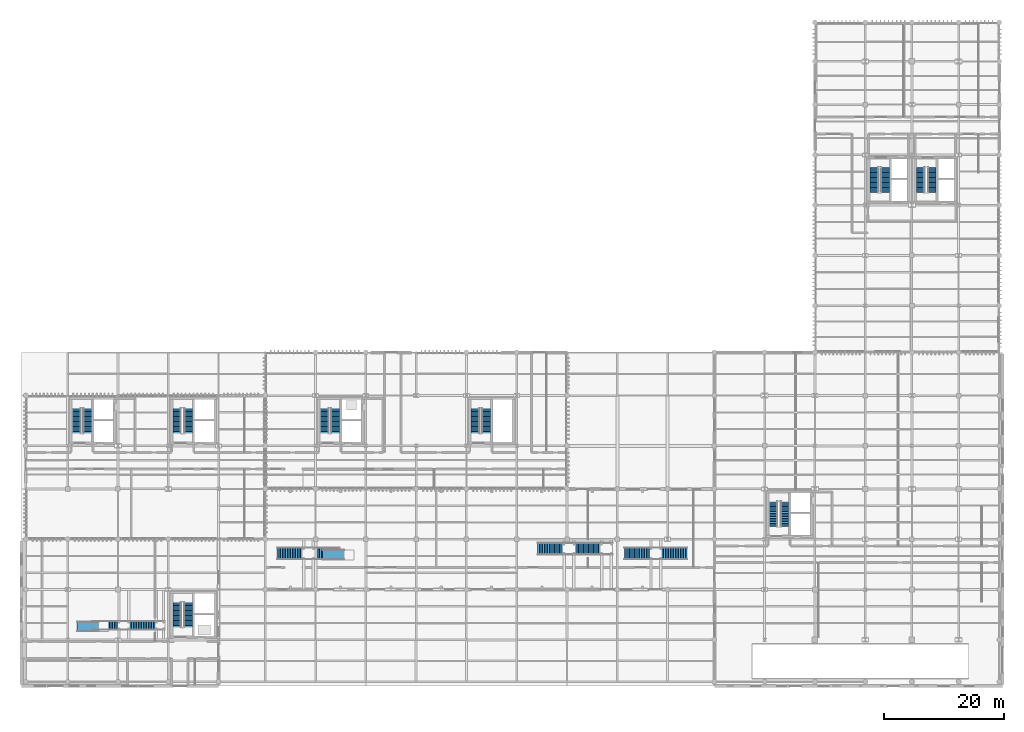
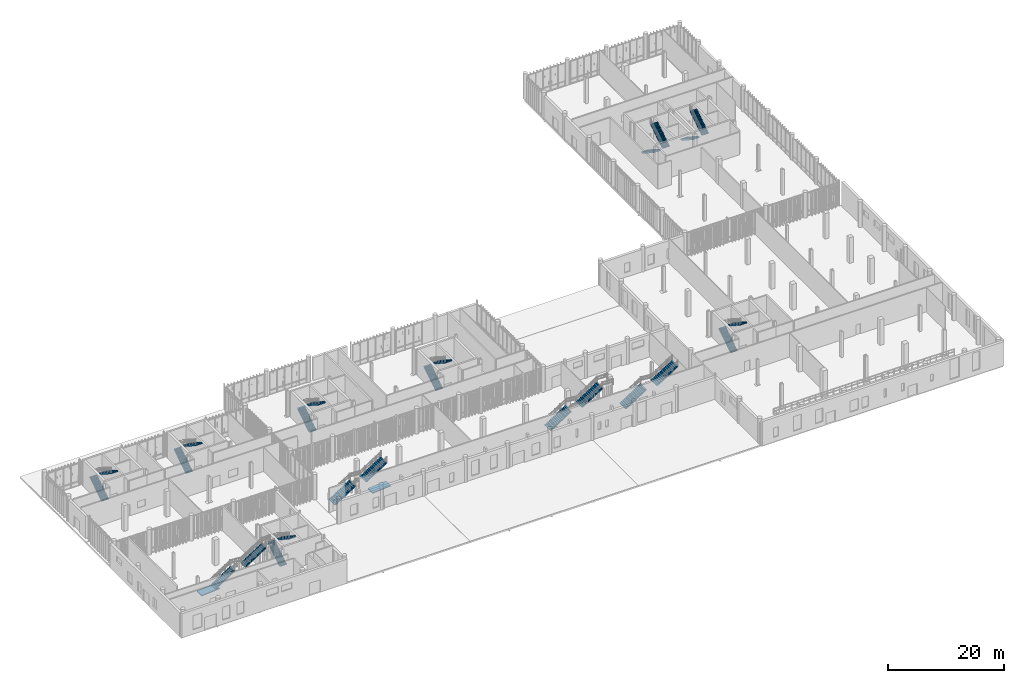
# One storey, part 96 of 112: 24 stair flights, 2 ramp flights, 14 elements without a shape of their own.
"""IFC4 building model written with IfcOpenShell, lengths in metres."""

from ifc_helpers import new_model, si_unit, direction, frame, origin_with_axes, place, context, subcontext, project, spatial, polyline, outline, extrude, material, type_object, element, aggregate, save


model = new_model("IFC4")

# Units and contexts
model_context = context("Model", 3, precision=1e-05, world=origin_with_axes(), true_north=direction((0.0, 1.0)))
body_context = subcontext(model_context, "Body", "Model", "MODEL_VIEW")
ifc_project = project(units=[si_unit("LENGTHUNIT", "METRE"), si_unit("AREAUNIT", "SQUARE_METRE"), si_unit("VOLUMEUNIT", "CUBIC_METRE"), si_unit("PLANEANGLEUNIT", "RADIAN"), si_unit("MASSUNIT", "GRAM", prefix="KILO"), si_unit("THERMODYNAMICTEMPERATUREUNIT", "KELVIN")], contexts=[model_context])

# Site, building, storey
site_placement = place(None, origin_with_axes())
site = spatial("IfcSite", under=ifc_project, at=site_placement, CompositionType="ELEMENT")
building_placement = place(site_placement, origin_with_axes())
building = spatial("IfcBuilding", under=site, at=building_placement, Name="Montbau Bow Law Courts", CompositionType="ELEMENT")
storey_placement = place(building_placement, origin_with_axes())
storey = spatial("IfcBuildingStorey", under=building, at=storey_placement, Name="L00", CompositionType="ELEMENT", Elevation=0.0)

# Stair, stair flights
ifc_material_1 = material(Name="Concrete CSA A23.1 f'c 40 MPa", Category="concrete")
stair_type_1 = type_object("IfcStairType", Name="ST-JUD-1500", PredefinedType="HALF_TURN_STAIR", material=ifc_material_1)
stair_1_placement = place(None, frame((32.065, 48.3, 0.0), z_axis=(0.0, 0.0, 1.0), x_axis=(1.0, 0.0, 0.0)))
stair_1 = element("IfcStair", 1, at=stair_1_placement, inside=storey, type_object=stair_type_1, Name="ST-J1-L00:str_0010", PredefinedType="HALF_TURN_STAIR")
stair_flight_type_1 = type_object("IfcStairFlightType", Name="SF-RC-1500C", PredefinedType="STRAIGHT", material=ifc_material_1)
stair_flight_1_placement = place(None, frame((32.065, 48.3, 0.0), z_axis=(0.0, 0.0, 1.0), x_axis=(0.0, 1.0, 0.0)))
stair_flight_1 = element("IfcStairFlight", 2, at=stair_flight_1_placement, type_object=stair_flight_type_1, Name="ST-J1-L00-F1:str_0010_F1", NumberOfRisers=15, NumberOfTreads=14, PredefinedType="STRAIGHT", RiserHeight=0.18, TreadLength=0.28, context=body_context, shape_type="SweptSolid", body=[
    extrude(outline(polyline([(0.0, 0.0), (0.0, 0.18), (0.28, 0.18), (0.28, 0.36), (0.56, 0.36), (0.56, 0.54), (0.84, 0.54), (0.84, 0.72), (1.12, 0.72), (1.12, 0.9), (1.4, 0.9), (1.4, 1.08), (1.68, 1.08), (1.68, 1.26), (1.96, 1.26), (1.96, 1.44), (2.24, 1.44), (2.24, 1.62), (2.52, 1.62), (2.52, 1.8), (2.8, 1.8), (2.8, 1.98), (3.08, 1.98), (3.08, 2.16), (3.36, 2.16), (3.36, 2.34), (3.64, 2.34), (3.64, 2.52), (3.92, 2.52), (3.92, 2.7), (4.2, 2.7), (4.2, 2.45035), (0.388344, 0.0), (0.0, 0.0)])), frame((0.0, 0.67, 0.0), z_axis=(0.0, -1.0, 0.0), x_axis=(1.0, 0.0, 0.0)), (0.0, 0.0, 1.0), 1.34),
])
stair_flight_2_placement = place(None, frame((33.96, 52.5, 2.7), z_axis=(0.0, 0.0, 1.0), x_axis=(0.0, -1.0, 0.0)))
stair_flight_2 = element("IfcStairFlight", 3, at=stair_flight_2_placement, type_object=stair_flight_type_1, Name="ST-J1-L00-F2:str_0010_F2", NumberOfRisers=15, NumberOfTreads=14, PredefinedType="STRAIGHT", RiserHeight=0.18, TreadLength=0.28, context=body_context, shape_type="SweptSolid", body=[
    extrude(outline(polyline([(0.0, 0.0), (0.0, 0.18), (0.28, 0.18), (0.28, 0.36), (0.56, 0.36), (0.56, 0.54), (0.84, 0.54), (0.84, 0.72), (1.12, 0.72), (1.12, 0.9), (1.4, 0.9), (1.4, 1.08), (1.68, 1.08), (1.68, 1.26), (1.96, 1.26), (1.96, 1.44), (2.24, 1.44), (2.24, 1.62), (2.52, 1.62), (2.52, 1.8), (2.8, 1.8), (2.8, 1.98), (3.08, 1.98), (3.08, 2.16), (3.36, 2.16), (3.36, 2.34), (3.64, 2.34), (3.64, 2.52), (3.92, 2.52), (3.92, 2.7), (4.2, 2.7), (4.2, 2.45035), (0.388344, 0.0), (0.0, 0.0)])), frame((0.0, 0.67, 0.0), z_axis=(0.0, -1.0, 0.0), x_axis=(1.0, 0.0, 0.0)), (0.0, 0.0, 1.0), 1.34),
])
aggregate(stair_1, [stair_flight_1, stair_flight_2])

stair_2_placement = place(None, frame((156.265, 92.7, 0.0), z_axis=(0.0, 0.0, 1.0), x_axis=(1.0, 0.0, 0.0)))
stair_2 = element("IfcStair", 4, at=stair_2_placement, inside=storey, type_object=stair_type_1, Name="ST-J2-L00:str_0045", PredefinedType="HALF_TURN_STAIR")
stair_flight_3_placement = place(None, frame((156.265, 92.7, 0.0), z_axis=(0.0, 0.0, 1.0), x_axis=(0.0, -1.0, 0.0)))
stair_flight_3 = element("IfcStairFlight", 5, at=stair_flight_3_placement, type_object=stair_flight_type_1, Name="ST-J2-L00-F1:str_0045_F1", NumberOfRisers=15, NumberOfTreads=14, PredefinedType="STRAIGHT", RiserHeight=0.18, TreadLength=0.28, context=body_context, shape_type="SweptSolid", body=[
    extrude(outline(polyline([(0.0, 0.0), (0.0, 0.18), (0.28, 0.18), (0.28, 0.36), (0.56, 0.36), (0.56, 0.54), (0.84, 0.54), (0.84, 0.72), (1.12, 0.72), (1.12, 0.9), (1.4, 0.9), (1.4, 1.08), (1.68, 1.08), (1.68, 1.26), (1.96, 1.26), (1.96, 1.44), (2.24, 1.44), (2.24, 1.62), (2.52, 1.62), (2.52, 1.8), (2.8, 1.8), (2.8, 1.98), (3.08, 1.98), (3.08, 2.16), (3.36, 2.16), (3.36, 2.34), (3.64, 2.34), (3.64, 2.52), (3.92, 2.52), (3.92, 2.7), (4.2, 2.7), (4.2, 2.45035), (0.388344, 0.0), (0.0, 0.0)])), frame((0.0, 0.67, 0.0), z_axis=(0.0, -1.0, 0.0), x_axis=(1.0, 0.0, 0.0)), (0.0, 0.0, 1.0), 1.34),
])
stair_flight_4_placement = place(None, frame((158.16, 88.5, 2.7), z_axis=(0.0, 0.0, 1.0), x_axis=(0.0, 1.0, 0.0)))
stair_flight_4 = element("IfcStairFlight", 6, at=stair_flight_4_placement, type_object=stair_flight_type_1, Name="ST-J2-L00-F2:str_0045_F2", NumberOfRisers=15, NumberOfTreads=14, PredefinedType="STRAIGHT", RiserHeight=0.18, TreadLength=0.28, context=body_context, shape_type="SweptSolid", body=[
    extrude(outline(polyline([(0.0, 0.0), (0.0, 0.18), (0.28, 0.18), (0.28, 0.36), (0.56, 0.36), (0.56, 0.54), (0.84, 0.54), (0.84, 0.72), (1.12, 0.72), (1.12, 0.9), (1.4, 0.9), (1.4, 1.08), (1.68, 1.08), (1.68, 1.26), (1.96, 1.26), (1.96, 1.44), (2.24, 1.44), (2.24, 1.62), (2.52, 1.62), (2.52, 1.8), (2.8, 1.8), (2.8, 1.98), (3.08, 1.98), (3.08, 2.16), (3.36, 2.16), (3.36, 2.34), (3.64, 2.34), (3.64, 2.52), (3.92, 2.52), (3.92, 2.7), (4.2, 2.7), (4.2, 2.45035), (0.388344, 0.0), (0.0, 0.0)])), frame((0.0, 0.67, 0.0), z_axis=(0.0, -1.0, 0.0), x_axis=(1.0, 0.0, 0.0)), (0.0, 0.0, 1.0), 1.34),
])
aggregate(stair_2, [stair_flight_3, stair_flight_4])

stair_type_2 = type_object("IfcStairType", Name="ST-CUS-1500", PredefinedType="HALF_TURN_STAIR", material=ifc_material_1)
stair_3_placement = place(None, frame((131.665, 32.7, 0.0), z_axis=(0.0, 0.0, 1.0), x_axis=(1.0, 0.0, 0.0)))
stair_3 = element("IfcStair", 7, at=stair_3_placement, inside=storey, type_object=stair_type_2, Name="ST-C1-L00:str_0056", PredefinedType="HALF_TURN_STAIR")
stair_flight_5_placement = place(None, frame((131.665, 32.7, 0.0), z_axis=(0.0, 0.0, 1.0), x_axis=(0.0, 1.0, 0.0)))
stair_flight_5 = element("IfcStairFlight", 8, at=stair_flight_5_placement, type_object=stair_flight_type_1, Name="ST-C1-L00-F1:str_0056_F1", NumberOfRisers=15, NumberOfTreads=14, PredefinedType="STRAIGHT", RiserHeight=0.18, TreadLength=0.28, context=body_context, shape_type="SweptSolid", body=[
    extrude(outline(polyline([(0.0, 0.0), (0.0, 0.18), (0.28, 0.18), (0.28, 0.36), (0.56, 0.36), (0.56, 0.54), (0.84, 0.54), (0.84, 0.72), (1.12, 0.72), (1.12, 0.9), (1.4, 0.9), (1.4, 1.08), (1.68, 1.08), (1.68, 1.26), (1.96, 1.26), (1.96, 1.44), (2.24, 1.44), (2.24, 1.62), (2.52, 1.62), (2.52, 1.8), (2.8, 1.8), (2.8, 1.98), (3.08, 1.98), (3.08, 2.16), (3.36, 2.16), (3.36, 2.34), (3.64, 2.34), (3.64, 2.52), (3.92, 2.52), (3.92, 2.7), (4.2, 2.7), (4.2, 2.45035), (0.388344, 0.0), (0.0, 0.0)])), frame((0.0, 0.67, 0.0), z_axis=(0.0, -1.0, 0.0), x_axis=(1.0, 0.0, 0.0)), (0.0, 0.0, 1.0), 1.34),
])
stair_flight_6_placement = place(None, frame((133.56, 36.9, 2.7), z_axis=(0.0, 0.0, 1.0), x_axis=(0.0, -1.0, 0.0)))
stair_flight_6 = element("IfcStairFlight", 9, at=stair_flight_6_placement, type_object=stair_flight_type_1, Name="ST-C1-L00-F2:str_0056_F2", NumberOfRisers=15, NumberOfTreads=14, PredefinedType="STRAIGHT", RiserHeight=0.18, TreadLength=0.28, context=body_context, shape_type="SweptSolid", body=[
    extrude(outline(polyline([(0.0, 0.0), (0.0, 0.18), (0.28, 0.18), (0.28, 0.36), (0.56, 0.36), (0.56, 0.54), (0.84, 0.54), (0.84, 0.72), (1.12, 0.72), (1.12, 0.9), (1.4, 0.9), (1.4, 1.08), (1.68, 1.08), (1.68, 1.26), (1.96, 1.26), (1.96, 1.44), (2.24, 1.44), (2.24, 1.62), (2.52, 1.62), (2.52, 1.8), (2.8, 1.8), (2.8, 1.98), (3.08, 1.98), (3.08, 2.16), (3.36, 2.16), (3.36, 2.34), (3.64, 2.34), (3.64, 2.52), (3.92, 2.52), (3.92, 2.7), (4.2, 2.7), (4.2, 2.45035), (0.388344, 0.0), (0.0, 0.0)])), frame((0.0, 0.67, 0.0), z_axis=(0.0, -1.0, 0.0), x_axis=(1.0, 0.0, 0.0)), (0.0, 0.0, 1.0), 1.34),
])
aggregate(stair_3, [stair_flight_5, stair_flight_6])

stair_type_3 = type_object("IfcStairType", Name="ST-CER-1650", PredefinedType="HALF_TURN_STAIR", material=ifc_material_1)
stair_4_placement = place(None, frame((32.085, 15.9, 0.0), z_axis=(0.0, 0.0, 1.0), x_axis=(1.0, 0.0, 0.0)))
stair_4 = element("IfcStair", 10, at=stair_4_placement, inside=storey, type_object=stair_type_3, Name="ST-CER1-L00:str_0060", PredefinedType="HALF_TURN_STAIR")
stair_flight_type_2 = type_object("IfcStairFlightType", Name="SF-RC-1650C", PredefinedType="STRAIGHT", material=ifc_material_1)
stair_flight_7_placement = place(None, frame((32.085, 15.9, 0.0), z_axis=(0.0, 0.0, 1.0), x_axis=(0.0, 1.0, 0.0)))
stair_flight_7 = element("IfcStairFlight", 11, at=stair_flight_7_placement, type_object=stair_flight_type_2, Name="ST-CER1-L00-F1:str_0060_F1", NumberOfRisers=15, NumberOfTreads=14, PredefinedType="STRAIGHT", RiserHeight=0.18, TreadLength=0.28, context=body_context, shape_type="SweptSolid", body=[
    extrude(outline(polyline([(0.0, 0.0), (0.0, 0.18), (0.28, 0.18), (0.28, 0.36), (0.56, 0.36), (0.56, 0.54), (0.84, 0.54), (0.84, 0.72), (1.12, 0.72), (1.12, 0.9), (1.4, 0.9), (1.4, 1.08), (1.68, 1.08), (1.68, 1.26), (1.96, 1.26), (1.96, 1.44), (2.24, 1.44), (2.24, 1.62), (2.52, 1.62), (2.52, 1.8), (2.8, 1.8), (2.8, 1.98), (3.08, 1.98), (3.08, 2.16), (3.36, 2.16), (3.36, 2.34), (3.64, 2.34), (3.64, 2.52), (3.92, 2.52), (3.92, 2.7), (4.2, 2.7), (4.2, 2.45035), (0.388344, 0.0), (0.0, 0.0)])), frame((0.0, 0.69, 0.0), z_axis=(0.0, -1.0, 0.0), x_axis=(1.0, 0.0, 0.0)), (0.0, 0.0, 1.0), 1.38),
])
stair_flight_8_placement = place(None, frame((33.94, 20.1, 2.7), z_axis=(0.0, 0.0, 1.0), x_axis=(0.0, -1.0, 0.0)))
stair_flight_8 = element("IfcStairFlight", 12, at=stair_flight_8_placement, type_object=stair_flight_type_2, Name="ST-CER1-L00-F2:str_0060_F2", NumberOfRisers=15, NumberOfTreads=14, PredefinedType="STRAIGHT", RiserHeight=0.18, TreadLength=0.28, context=body_context, shape_type="SweptSolid", body=[
    extrude(outline(polyline([(0.0, 0.0), (0.0, 0.18), (0.28, 0.18), (0.28, 0.36), (0.56, 0.36), (0.56, 0.54), (0.84, 0.54), (0.84, 0.72), (1.12, 0.72), (1.12, 0.9), (1.4, 0.9), (1.4, 1.08), (1.68, 1.08), (1.68, 1.26), (1.96, 1.26), (1.96, 1.44), (2.24, 1.44), (2.24, 1.62), (2.52, 1.62), (2.52, 1.8), (2.8, 1.8), (2.8, 1.98), (3.08, 1.98), (3.08, 2.16), (3.36, 2.16), (3.36, 2.34), (3.64, 2.34), (3.64, 2.52), (3.92, 2.52), (3.92, 2.7), (4.2, 2.7), (4.2, 2.45035), (0.388344, 0.0), (0.0, 0.0)])), frame((0.0, 0.69, 0.0), z_axis=(0.0, -1.0, 0.0), x_axis=(1.0, 0.0, 0.0)), (0.0, 0.0, 1.0), 1.38),
])
aggregate(stair_4, [stair_flight_7, stair_flight_8])

stair_type_4 = type_object("IfcStairType", Name="ST-PUB-1800", PredefinedType="HALF_TURN_STAIR", material=ifc_material_1)
stair_5_placement = place(None, frame((15.305, 48.3, 0.0), z_axis=(0.0, 0.0, 1.0), x_axis=(1.0, 0.0, 0.0)))
stair_5 = element("IfcStair", 13, at=stair_5_placement, inside=storey, type_object=stair_type_4, Name="ST-P1-L00:str_0002", PredefinedType="HALF_TURN_STAIR")
stair_flight_type_3 = type_object("IfcStairFlightType", Name="SF-RC-1800C", PredefinedType="STRAIGHT", material=ifc_material_1)
stair_flight_9_placement = place(None, frame((15.305, 48.3, 0.0), z_axis=(0.0, 0.0, 1.0), x_axis=(0.0, 1.0, 0.0)))
stair_flight_9 = element("IfcStairFlight", 14, at=stair_flight_9_placement, type_object=stair_flight_type_3, Name="ST-P1-L00-F1:str_0002_F1", NumberOfRisers=15, NumberOfTreads=14, PredefinedType="STRAIGHT", RiserHeight=0.18, TreadLength=0.28, context=body_context, shape_type="SweptSolid", body=[
    extrude(outline(polyline([(0.0, 0.0), (0.0, 0.18), (0.28, 0.18), (0.28, 0.36), (0.56, 0.36), (0.56, 0.54), (0.84, 0.54), (0.84, 0.72), (1.12, 0.72), (1.12, 0.9), (1.4, 0.9), (1.4, 1.08), (1.68, 1.08), (1.68, 1.26), (1.96, 1.26), (1.96, 1.44), (2.24, 1.44), (2.24, 1.62), (2.52, 1.62), (2.52, 1.8), (2.8, 1.8), (2.8, 1.98), (3.08, 1.98), (3.08, 2.16), (3.36, 2.16), (3.36, 2.34), (3.64, 2.34), (3.64, 2.52), (3.92, 2.52), (3.92, 2.7), (4.2, 2.7), (4.2, 2.45035), (0.388344, 0.0), (0.0, 0.0)])), frame((0.0, 0.71, 0.0), z_axis=(0.0, -1.0, 0.0), x_axis=(1.0, 0.0, 0.0)), (0.0, 0.0, 1.0), 1.42),
])
stair_flight_10_placement = place(None, frame((17.12, 52.5, 2.7), z_axis=(0.0, 0.0, 1.0), x_axis=(0.0, -1.0, 0.0)))
stair_flight_10 = element("IfcStairFlight", 15, at=stair_flight_10_placement, type_object=stair_flight_type_3, Name="ST-P1-L00-F2:str_0002_F2", NumberOfRisers=15, NumberOfTreads=14, PredefinedType="STRAIGHT", RiserHeight=0.18, TreadLength=0.28, context=body_context, shape_type="SweptSolid", body=[
    extrude(outline(polyline([(0.0, 0.0), (0.0, 0.18), (0.28, 0.18), (0.28, 0.36), (0.56, 0.36), (0.56, 0.54), (0.84, 0.54), (0.84, 0.72), (1.12, 0.72), (1.12, 0.9), (1.4, 0.9), (1.4, 1.08), (1.68, 1.08), (1.68, 1.26), (1.96, 1.26), (1.96, 1.44), (2.24, 1.44), (2.24, 1.62), (2.52, 1.62), (2.52, 1.8), (2.8, 1.8), (2.8, 1.98), (3.08, 1.98), (3.08, 2.16), (3.36, 2.16), (3.36, 2.34), (3.64, 2.34), (3.64, 2.52), (3.92, 2.52), (3.92, 2.7), (4.2, 2.7), (4.2, 2.45035), (0.388344, 0.0), (0.0, 0.0)])), frame((0.0, 0.71, 0.0), z_axis=(0.0, -1.0, 0.0), x_axis=(1.0, 0.0, 0.0)), (0.0, 0.0, 1.0), 1.42),
])
aggregate(stair_5, [stair_flight_9, stair_flight_10])

stair_6_placement = place(None, frame((56.705, 48.3, 0.0), z_axis=(0.0, 0.0, 1.0), x_axis=(1.0, 0.0, 0.0)))
stair_6 = element("IfcStair", 16, at=stair_6_placement, inside=storey, type_object=stair_type_4, Name="ST-P4-L00:str_0018", PredefinedType="HALF_TURN_STAIR")
stair_flight_11_placement = place(None, frame((56.705, 48.3, 0.0), z_axis=(0.0, 0.0, 1.0), x_axis=(0.0, 1.0, 0.0)))
stair_flight_11 = element("IfcStairFlight", 17, at=stair_flight_11_placement, type_object=stair_flight_type_3, Name="ST-P4-L00-F1:str_0018_F1", NumberOfRisers=15, NumberOfTreads=14, PredefinedType="STRAIGHT", RiserHeight=0.18, TreadLength=0.28, context=body_context, shape_type="SweptSolid", body=[
    extrude(outline(polyline([(0.0, 0.0), (0.0, 0.18), (0.28, 0.18), (0.28, 0.36), (0.56, 0.36), (0.56, 0.54), (0.84, 0.54), (0.84, 0.72), (1.12, 0.72), (1.12, 0.9), (1.4, 0.9), (1.4, 1.08), (1.68, 1.08), (1.68, 1.26), (1.96, 1.26), (1.96, 1.44), (2.24, 1.44), (2.24, 1.62), (2.52, 1.62), (2.52, 1.8), (2.8, 1.8), (2.8, 1.98), (3.08, 1.98), (3.08, 2.16), (3.36, 2.16), (3.36, 2.34), (3.64, 2.34), (3.64, 2.52), (3.92, 2.52), (3.92, 2.7), (4.2, 2.7), (4.2, 2.45035), (0.388344, 0.0), (0.0, 0.0)])), frame((0.0, 0.71, 0.0), z_axis=(0.0, -1.0, 0.0), x_axis=(1.0, 0.0, 0.0)), (0.0, 0.0, 1.0), 1.42),
])
stair_flight_12_placement = place(None, frame((58.52, 52.5, 2.7), z_axis=(0.0, 0.0, 1.0), x_axis=(0.0, -1.0, 0.0)))
stair_flight_12 = element("IfcStairFlight", 18, at=stair_flight_12_placement, type_object=stair_flight_type_3, Name="ST-P4-L00-F2:str_0018_F2", NumberOfRisers=15, NumberOfTreads=14, PredefinedType="STRAIGHT", RiserHeight=0.18, TreadLength=0.28, context=body_context, shape_type="SweptSolid", body=[
    extrude(outline(polyline([(0.0, 0.0), (0.0, 0.18), (0.28, 0.18), (0.28, 0.36), (0.56, 0.36), (0.56, 0.54), (0.84, 0.54), (0.84, 0.72), (1.12, 0.72), (1.12, 0.9), (1.4, 0.9), (1.4, 1.08), (1.68, 1.08), (1.68, 1.26), (1.96, 1.26), (1.96, 1.44), (2.24, 1.44), (2.24, 1.62), (2.52, 1.62), (2.52, 1.8), (2.8, 1.8), (2.8, 1.98), (3.08, 1.98), (3.08, 2.16), (3.36, 2.16), (3.36, 2.34), (3.64, 2.34), (3.64, 2.52), (3.92, 2.52), (3.92, 2.7), (4.2, 2.7), (4.2, 2.45035), (0.388344, 0.0), (0.0, 0.0)])), frame((0.0, 0.71, 0.0), z_axis=(0.0, -1.0, 0.0), x_axis=(1.0, 0.0, 0.0)), (0.0, 0.0, 1.0), 1.42),
])
aggregate(stair_6, [stair_flight_11, stair_flight_12])

stair_7_placement = place(None, frame((81.905, 48.3, 0.0), z_axis=(0.0, 0.0, 1.0), x_axis=(1.0, 0.0, 0.0)))
stair_7 = element("IfcStair", 19, at=stair_7_placement, inside=storey, type_object=stair_type_4, Name="ST-P3-L00:str_0026", PredefinedType="HALF_TURN_STAIR")
stair_flight_13_placement = place(None, frame((81.905, 48.3, 0.0), z_axis=(0.0, 0.0, 1.0), x_axis=(0.0, 1.0, 0.0)))
stair_flight_13 = element("IfcStairFlight", 20, at=stair_flight_13_placement, type_object=stair_flight_type_3, Name="ST-P3-L00-F1:str_0026_F1", NumberOfRisers=15, NumberOfTreads=14, PredefinedType="STRAIGHT", RiserHeight=0.18, TreadLength=0.28, context=body_context, shape_type="SweptSolid", body=[
    extrude(outline(polyline([(0.0, 0.0), (0.0, 0.18), (0.28, 0.18), (0.28, 0.36), (0.56, 0.36), (0.56, 0.54), (0.84, 0.54), (0.84, 0.72), (1.12, 0.72), (1.12, 0.9), (1.4, 0.9), (1.4, 1.08), (1.68, 1.08), (1.68, 1.26), (1.96, 1.26), (1.96, 1.44), (2.24, 1.44), (2.24, 1.62), (2.52, 1.62), (2.52, 1.8), (2.8, 1.8), (2.8, 1.98), (3.08, 1.98), (3.08, 2.16), (3.36, 2.16), (3.36, 2.34), (3.64, 2.34), (3.64, 2.52), (3.92, 2.52), (3.92, 2.7), (4.2, 2.7), (4.2, 2.45035), (0.388344, 0.0), (0.0, 0.0)])), frame((0.0, 0.71, 0.0), z_axis=(0.0, -1.0, 0.0), x_axis=(1.0, 0.0, 0.0)), (0.0, 0.0, 1.0), 1.42),
])
stair_flight_14_placement = place(None, frame((83.72, 52.5, 2.7), z_axis=(0.0, 0.0, 1.0), x_axis=(0.0, -1.0, 0.0)))
stair_flight_14 = element("IfcStairFlight", 21, at=stair_flight_14_placement, type_object=stair_flight_type_3, Name="ST-P3-L00-F2:str_0026_F2", NumberOfRisers=15, NumberOfTreads=14, PredefinedType="STRAIGHT", RiserHeight=0.18, TreadLength=0.28, context=body_context, shape_type="SweptSolid", body=[
    extrude(outline(polyline([(0.0, 0.0), (0.0, 0.18), (0.28, 0.18), (0.28, 0.36), (0.56, 0.36), (0.56, 0.54), (0.84, 0.54), (0.84, 0.72), (1.12, 0.72), (1.12, 0.9), (1.4, 0.9), (1.4, 1.08), (1.68, 1.08), (1.68, 1.26), (1.96, 1.26), (1.96, 1.44), (2.24, 1.44), (2.24, 1.62), (2.52, 1.62), (2.52, 1.8), (2.8, 1.8), (2.8, 1.98), (3.08, 1.98), (3.08, 2.16), (3.36, 2.16), (3.36, 2.34), (3.64, 2.34), (3.64, 2.52), (3.92, 2.52), (3.92, 2.7), (4.2, 2.7), (4.2, 2.45035), (0.388344, 0.0), (0.0, 0.0)])), frame((0.0, 0.71, 0.0), z_axis=(0.0, -1.0, 0.0), x_axis=(1.0, 0.0, 0.0)), (0.0, 0.0, 1.0), 1.42),
])
aggregate(stair_7, [stair_flight_13, stair_flight_14])

stair_8_placement = place(None, frame((148.505, 92.7, 0.0), z_axis=(0.0, 0.0, 1.0), x_axis=(1.0, 0.0, 0.0)))
stair_8 = element("IfcStair", 22, at=stair_8_placement, inside=storey, type_object=stair_type_4, Name="ST-P2-L00:str_0034", PredefinedType="HALF_TURN_STAIR")
stair_flight_15_placement = place(None, frame((148.505, 92.7, 0.0), z_axis=(0.0, 0.0, 1.0), x_axis=(0.0, -1.0, 0.0)))
stair_flight_15 = element("IfcStairFlight", 23, at=stair_flight_15_placement, type_object=stair_flight_type_3, Name="ST-P2-L00-F1:str_0034_F1", NumberOfRisers=15, NumberOfTreads=14, PredefinedType="STRAIGHT", RiserHeight=0.18, TreadLength=0.28, context=body_context, shape_type="SweptSolid", body=[
    extrude(outline(polyline([(0.0, 0.0), (0.0, 0.18), (0.28, 0.18), (0.28, 0.36), (0.56, 0.36), (0.56, 0.54), (0.84, 0.54), (0.84, 0.72), (1.12, 0.72), (1.12, 0.9), (1.4, 0.9), (1.4, 1.08), (1.68, 1.08), (1.68, 1.26), (1.96, 1.26), (1.96, 1.44), (2.24, 1.44), (2.24, 1.62), (2.52, 1.62), (2.52, 1.8), (2.8, 1.8), (2.8, 1.98), (3.08, 1.98), (3.08, 2.16), (3.36, 2.16), (3.36, 2.34), (3.64, 2.34), (3.64, 2.52), (3.92, 2.52), (3.92, 2.7), (4.2, 2.7), (4.2, 2.45035), (0.388344, 0.0), (0.0, 0.0)])), frame((0.0, 0.71, 0.0), z_axis=(0.0, -1.0, 0.0), x_axis=(1.0, 0.0, 0.0)), (0.0, 0.0, 1.0), 1.42),
])
stair_flight_16_placement = place(None, frame((150.32, 88.5, 2.7), z_axis=(0.0, 0.0, 1.0), x_axis=(0.0, 1.0, 0.0)))
stair_flight_16 = element("IfcStairFlight", 24, at=stair_flight_16_placement, type_object=stair_flight_type_3, Name="ST-P2-L00-F2:str_0034_F2", NumberOfRisers=15, NumberOfTreads=14, PredefinedType="STRAIGHT", RiserHeight=0.18, TreadLength=0.28, context=body_context, shape_type="SweptSolid", body=[
    extrude(outline(polyline([(0.0, 0.0), (0.0, 0.18), (0.28, 0.18), (0.28, 0.36), (0.56, 0.36), (0.56, 0.54), (0.84, 0.54), (0.84, 0.72), (1.12, 0.72), (1.12, 0.9), (1.4, 0.9), (1.4, 1.08), (1.68, 1.08), (1.68, 1.26), (1.96, 1.26), (1.96, 1.44), (2.24, 1.44), (2.24, 1.62), (2.52, 1.62), (2.52, 1.8), (2.8, 1.8), (2.8, 1.98), (3.08, 1.98), (3.08, 2.16), (3.36, 2.16), (3.36, 2.34), (3.64, 2.34), (3.64, 2.52), (3.92, 2.52), (3.92, 2.7), (4.2, 2.7), (4.2, 2.45035), (0.388344, 0.0), (0.0, 0.0)])), frame((0.0, 0.71, 0.0), z_axis=(0.0, -1.0, 0.0), x_axis=(1.0, 0.0, 0.0)), (0.0, 0.0, 1.0), 1.42),
])
aggregate(stair_8, [stair_flight_15, stair_flight_16])

ifc_material_2 = material(Name="Steel CSA G40.21 Grade 350W (350 MPa)", Category="steel")
stair_type_5 = type_object("IfcStairType", Name="ST-LIB-1600", PredefinedType="STRAIGHT_RUN_STAIR", material=ifc_material_2)
stair_9_placement = place(None, frame((17.95, 16.2, 0.0), z_axis=(0.0, 0.0, 1.0), x_axis=(1.0, 0.0, 0.0)))
stair_9 = element("IfcStair", 25, at=stair_9_placement, inside=storey, type_object=stair_type_5, Name="ST-CER-02:str_0064", PredefinedType="STRAIGHT_RUN_STAIR")
stair_flight_type_4 = type_object("IfcStairFlightType", Name="SF-ST-1600C", PredefinedType="STRAIGHT", material=ifc_material_2)
stair_flight_17_placement = place(None, frame((17.95, 16.2, 0.0), z_axis=(0.0, 0.0, 1.0), x_axis=(1.0, 0.0, 0.0)))
stair_flight_17 = element("IfcStairFlight", 26, at=stair_flight_17_placement, type_object=stair_flight_type_4, Name="ST-CER-02-F1:str_0064_F1", NumberOfRisers=15, NumberOfTreads=14, PredefinedType="STRAIGHT", RiserHeight=0.18, TreadLength=0.28, context=body_context, shape_type="SweptSolid", body=[
    extrude(outline(polyline([(0.0, 0.0), (0.0, 0.18), (0.28, 0.18), (0.28, 0.36), (0.56, 0.36), (0.56, 0.54), (0.84, 0.54), (0.84, 0.72), (1.12, 0.72), (1.12, 0.9), (1.4, 0.9), (1.4, 1.08), (1.68, 1.08), (1.68, 1.26), (1.96, 1.26), (1.96, 1.44), (2.24, 1.44), (2.24, 1.62), (2.52, 1.62), (2.52, 1.8), (2.8, 1.8), (2.8, 1.98), (3.08, 1.98), (3.08, 2.16), (3.36, 2.16), (3.36, 2.34), (3.64, 2.34), (3.64, 2.52), (3.92, 2.52), (3.92, 2.7), (4.2, 2.7), (4.2, 2.486014), (0.332866, 0.0), (0.0, 0.0)])), frame((0.0, 0.75, 0.0), z_axis=(0.0, -1.0, 0.0), x_axis=(1.0, 0.0, 0.0)), (0.0, 0.0, 1.0), 1.5),
])
stair_flight_18_placement = place(None, frame((24.2, 16.2, 2.7), z_axis=(0.0, 0.0, 1.0), x_axis=(1.0, 0.0, 0.0)))
stair_flight_18 = element("IfcStairFlight", 27, at=stair_flight_18_placement, type_object=stair_flight_type_4, Name="ST-CER-02-F2:str_0064_F2", NumberOfRisers=15, NumberOfTreads=14, PredefinedType="STRAIGHT", RiserHeight=0.18, TreadLength=0.28, context=body_context, shape_type="SweptSolid", body=[
    extrude(outline(polyline([(0.0, 0.0), (0.0, 0.18), (0.28, 0.18), (0.28, 0.36), (0.56, 0.36), (0.56, 0.54), (0.84, 0.54), (0.84, 0.72), (1.12, 0.72), (1.12, 0.9), (1.4, 0.9), (1.4, 1.08), (1.68, 1.08), (1.68, 1.26), (1.96, 1.26), (1.96, 1.44), (2.24, 1.44), (2.24, 1.62), (2.52, 1.62), (2.52, 1.8), (2.8, 1.8), (2.8, 1.98), (3.08, 1.98), (3.08, 2.16), (3.36, 2.16), (3.36, 2.34), (3.64, 2.34), (3.64, 2.52), (3.92, 2.52), (3.92, 2.7), (4.2, 2.7), (4.2, 2.486014), (0.332866, 0.0), (0.0, 0.0)])), frame((0.0, 0.75, 0.0), z_axis=(0.0, -1.0, 0.0), x_axis=(1.0, 0.0, 0.0)), (0.0, 0.0, 1.0), 1.5),
])
aggregate(stair_9, [stair_flight_17, stair_flight_18])

stair_type_6 = type_object("IfcStairType", Name="ST-GRD-2200", PredefinedType="STRAIGHT_RUN_STAIR", material=ifc_material_2)
stair_10_placement = place(None, frame((48.8, 28.2, 0.0), z_axis=(0.0, 0.0, 1.0), x_axis=(1.0, 0.0, 0.0)))
stair_10 = element("IfcStair", 28, at=stair_10_placement, inside=storey, type_object=stair_type_6, Name="ST-GRD-01:str_0061", PredefinedType="STRAIGHT_RUN_STAIR")
stair_flight_type_5 = type_object("IfcStairFlightType", Name="SF-ST-2200C", PredefinedType="STRAIGHT", material=ifc_material_2)
stair_flight_19_placement = place(None, frame((48.8, 28.2, 0.0), z_axis=(0.0, 0.0, 1.0), x_axis=(1.0, 0.0, 0.0)))
stair_flight_19 = element("IfcStairFlight", 29, at=stair_flight_19_placement, type_object=stair_flight_type_5, Name="ST-GRD-01-F1:str_0061_F1", NumberOfRisers=15, NumberOfTreads=14, PredefinedType="STRAIGHT", RiserHeight=0.18, TreadLength=0.28, context=body_context, shape_type="SweptSolid", body=[
    extrude(outline(polyline([(0.0, 0.0), (0.0, 0.18), (0.28, 0.18), (0.28, 0.36), (0.56, 0.36), (0.56, 0.54), (0.84, 0.54), (0.84, 0.72), (1.12, 0.72), (1.12, 0.9), (1.4, 0.9), (1.4, 1.08), (1.68, 1.08), (1.68, 1.26), (1.96, 1.26), (1.96, 1.44), (2.24, 1.44), (2.24, 1.62), (2.52, 1.62), (2.52, 1.8), (2.8, 1.8), (2.8, 1.98), (3.08, 1.98), (3.08, 2.16), (3.36, 2.16), (3.36, 2.34), (3.64, 2.34), (3.64, 2.52), (3.92, 2.52), (3.92, 2.7), (4.2, 2.7), (4.2, 2.486014), (0.332866, 0.0), (0.0, 0.0)])), frame((0.0, 1.0, 0.0), z_axis=(0.0, -1.0, 0.0), x_axis=(1.0, 0.0, 0.0)), (0.0, 0.0, 1.0), 2.0),
])
stair_flight_20_placement = place(None, frame((55.05, 28.2, 2.7), z_axis=(0.0, 0.0, 1.0), x_axis=(1.0, 0.0, 0.0)))
stair_flight_20 = element("IfcStairFlight", 30, at=stair_flight_20_placement, type_object=stair_flight_type_5, Name="ST-GRD-01-F2:str_0061_F2", NumberOfRisers=15, NumberOfTreads=14, PredefinedType="STRAIGHT", RiserHeight=0.18, TreadLength=0.28, context=body_context, shape_type="SweptSolid", body=[
    extrude(outline(polyline([(0.0, 0.0), (0.0, 0.18), (0.28, 0.18), (0.28, 0.36), (0.56, 0.36), (0.56, 0.54), (0.84, 0.54), (0.84, 0.72), (1.12, 0.72), (1.12, 0.9), (1.4, 0.9), (1.4, 1.08), (1.68, 1.08), (1.68, 1.26), (1.96, 1.26), (1.96, 1.44), (2.24, 1.44), (2.24, 1.62), (2.52, 1.62), (2.52, 1.8), (2.8, 1.8), (2.8, 1.98), (3.08, 1.98), (3.08, 2.16), (3.36, 2.16), (3.36, 2.34), (3.64, 2.34), (3.64, 2.52), (3.92, 2.52), (3.92, 2.7), (4.2, 2.7), (4.2, 2.486014), (0.332866, 0.0), (0.0, 0.0)])), frame((0.0, 1.0, 0.0), z_axis=(0.0, -1.0, 0.0), x_axis=(1.0, 0.0, 0.0)), (0.0, 0.0, 1.0), 2.0),
])
aggregate(stair_10, [stair_flight_19, stair_flight_20])

stair_11_placement = place(None, frame((106.8, 28.2, 0.0), z_axis=(0.0, 0.0, 1.0), x_axis=(1.0, 0.0, 0.0)))
stair_11 = element("IfcStair", 31, at=stair_11_placement, inside=storey, type_object=stair_type_6, Name="ST-GRD-02:str_0062", PredefinedType="STRAIGHT_RUN_STAIR")
stair_flight_21_placement = place(None, frame((106.8, 28.2, 0.0), z_axis=(0.0, 0.0, 1.0), x_axis=(1.0, 0.0, 0.0)))
stair_flight_21 = element("IfcStairFlight", 32, at=stair_flight_21_placement, type_object=stair_flight_type_5, Name="ST-GRD-02-F1:str_0062_F1", NumberOfRisers=15, NumberOfTreads=14, PredefinedType="STRAIGHT", RiserHeight=0.18, TreadLength=0.28, context=body_context, shape_type="SweptSolid", body=[
    extrude(outline(polyline([(0.0, 0.0), (0.0, 0.18), (0.28, 0.18), (0.28, 0.36), (0.56, 0.36), (0.56, 0.54), (0.84, 0.54), (0.84, 0.72), (1.12, 0.72), (1.12, 0.9), (1.4, 0.9), (1.4, 1.08), (1.68, 1.08), (1.68, 1.26), (1.96, 1.26), (1.96, 1.44), (2.24, 1.44), (2.24, 1.62), (2.52, 1.62), (2.52, 1.8), (2.8, 1.8), (2.8, 1.98), (3.08, 1.98), (3.08, 2.16), (3.36, 2.16), (3.36, 2.34), (3.64, 2.34), (3.64, 2.52), (3.92, 2.52), (3.92, 2.7), (4.2, 2.7), (4.2, 2.486014), (0.332866, 0.0), (0.0, 0.0)])), frame((0.0, 1.0, 0.0), z_axis=(0.0, -1.0, 0.0), x_axis=(1.0, 0.0, 0.0)), (0.0, 0.0, 1.0), 2.0),
])
stair_flight_22_placement = place(None, frame((113.05, 28.2, 2.7), z_axis=(0.0, 0.0, 1.0), x_axis=(1.0, 0.0, 0.0)))
stair_flight_22 = element("IfcStairFlight", 33, at=stair_flight_22_placement, type_object=stair_flight_type_5, Name="ST-GRD-02-F2:str_0062_F2", NumberOfRisers=15, NumberOfTreads=14, PredefinedType="STRAIGHT", RiserHeight=0.18, TreadLength=0.28, context=body_context, shape_type="SweptSolid", body=[
    extrude(outline(polyline([(0.0, 0.0), (0.0, 0.18), (0.28, 0.18), (0.28, 0.36), (0.56, 0.36), (0.56, 0.54), (0.84, 0.54), (0.84, 0.72), (1.12, 0.72), (1.12, 0.9), (1.4, 0.9), (1.4, 1.08), (1.68, 1.08), (1.68, 1.26), (1.96, 1.26), (1.96, 1.44), (2.24, 1.44), (2.24, 1.62), (2.52, 1.62), (2.52, 1.8), (2.8, 1.8), (2.8, 1.98), (3.08, 1.98), (3.08, 2.16), (3.36, 2.16), (3.36, 2.34), (3.64, 2.34), (3.64, 2.52), (3.92, 2.52), (3.92, 2.7), (4.2, 2.7), (4.2, 2.486014), (0.332866, 0.0), (0.0, 0.0)])), frame((0.0, 1.0, 0.0), z_axis=(0.0, -1.0, 0.0), x_axis=(1.0, 0.0, 0.0)), (0.0, 0.0, 1.0), 2.0),
])
aggregate(stair_11, [stair_flight_21, stair_flight_22])

stair_12_placement = place(None, frame((92.3, 29.0, 0.0), z_axis=(0.0, 0.0, 1.0), x_axis=(1.0, 0.0, 0.0)))
stair_12 = element("IfcStair", 34, at=stair_12_placement, inside=storey, type_object=stair_type_6, Name="ST-GRD-03:str_0063", PredefinedType="STRAIGHT_RUN_STAIR")
stair_flight_23_placement = place(None, frame((92.3, 29.0, 0.0), z_axis=(0.0, 0.0, 1.0), x_axis=(1.0, 0.0, 0.0)))
stair_flight_23 = element("IfcStairFlight", 35, at=stair_flight_23_placement, type_object=stair_flight_type_5, Name="ST-GRD-03-F1:str_0063_F1", NumberOfRisers=15, NumberOfTreads=14, PredefinedType="STRAIGHT", RiserHeight=0.18, TreadLength=0.28, context=body_context, shape_type="SweptSolid", body=[
    extrude(outline(polyline([(0.0, 0.0), (0.0, 0.18), (0.28, 0.18), (0.28, 0.36), (0.56, 0.36), (0.56, 0.54), (0.84, 0.54), (0.84, 0.72), (1.12, 0.72), (1.12, 0.9), (1.4, 0.9), (1.4, 1.08), (1.68, 1.08), (1.68, 1.26), (1.96, 1.26), (1.96, 1.44), (2.24, 1.44), (2.24, 1.62), (2.52, 1.62), (2.52, 1.8), (2.8, 1.8), (2.8, 1.98), (3.08, 1.98), (3.08, 2.16), (3.36, 2.16), (3.36, 2.34), (3.64, 2.34), (3.64, 2.52), (3.92, 2.52), (3.92, 2.7), (4.2, 2.7), (4.2, 2.486014), (0.332866, 0.0), (0.0, 0.0)])), frame((0.0, 1.0, 0.0), z_axis=(0.0, -1.0, 0.0), x_axis=(1.0, 0.0, 0.0)), (0.0, 0.0, 1.0), 2.0),
])
stair_flight_24_placement = place(None, frame((98.55, 29.0, 2.7), z_axis=(0.0, 0.0, 1.0), x_axis=(1.0, 0.0, 0.0)))
stair_flight_24 = element("IfcStairFlight", 36, at=stair_flight_24_placement, type_object=stair_flight_type_5, Name="ST-GRD-03-F2:str_0063_F2", NumberOfRisers=15, NumberOfTreads=14, PredefinedType="STRAIGHT", RiserHeight=0.18, TreadLength=0.28, context=body_context, shape_type="SweptSolid", body=[
    extrude(outline(polyline([(0.0, 0.0), (0.0, 0.18), (0.28, 0.18), (0.28, 0.36), (0.56, 0.36), (0.56, 0.54), (0.84, 0.54), (0.84, 0.72), (1.12, 0.72), (1.12, 0.9), (1.4, 0.9), (1.4, 1.08), (1.68, 1.08), (1.68, 1.26), (1.96, 1.26), (1.96, 1.44), (2.24, 1.44), (2.24, 1.62), (2.52, 1.62), (2.52, 1.8), (2.8, 1.8), (2.8, 1.98), (3.08, 1.98), (3.08, 2.16), (3.36, 2.16), (3.36, 2.34), (3.64, 2.34), (3.64, 2.52), (3.92, 2.52), (3.92, 2.7), (4.2, 2.7), (4.2, 2.486014), (0.332866, 0.0), (0.0, 0.0)])), frame((0.0, 1.0, 0.0), z_axis=(0.0, -1.0, 0.0), x_axis=(1.0, 0.0, 0.0)), (0.0, 0.0, 1.0), 2.0),
])
aggregate(stair_12, [stair_flight_23, stair_flight_24])

# Ramp, ramp flight
ramp_type = type_object("IfcRampType", Name="RMP-PED-01", PredefinedType="STRAIGHT_RUN_RAMP", material=ifc_material_1)
ramp_1_placement = place(None, frame((56.4, 28.0, 0.0), z_axis=(0.0, 0.0, 1.0), x_axis=(1.0, 0.0, 0.0)))
ramp_1 = element("IfcRamp", 37, at=ramp_1_placement, inside=storey, type_object=ramp_type, Name="Public Hall Barrier-Free Ramp R-BF1", PredefinedType="STRAIGHT_RUN_RAMP")
ramp_flight_type = type_object("IfcRampFlightType", Name="RMF-PED-01", PredefinedType="STRAIGHT", material=ifc_material_1)
ramp_flight_1_placement = place(None, frame((56.4, 28.0, 0.0), z_axis=(0.0, 0.0, 1.0), x_axis=(1.0, 0.0, 0.0)))
ramp_flight_1 = element("IfcRampFlight", 38, at=ramp_flight_1_placement, type_object=ramp_flight_type, Name="Public Hall Barrier-Free Ramp R-BF1 flight", PredefinedType="STRAIGHT", context=body_context, shape_type="SweptSolid", body=[
    extrude(outline(polyline([(0.0, 0.0), (3.6, 0.3), (3.6, 0.12), (0.0, -0.18), (0.0, 0.0)])), frame((0.0, 0.825, 0.0), z_axis=(0.0, -1.0, 0.0), x_axis=(1.0, 0.0, 0.0)), (0.0, 0.0, 1.0), 1.65),
])
aggregate(ramp_1, [ramp_flight_1])

ramp_2_placement = place(None, frame((15.4, 16.0, 0.0), z_axis=(0.0, 0.0, 1.0), x_axis=(1.0, 0.0, 0.0)))
ramp_2 = element("IfcRamp", 39, at=ramp_2_placement, inside=storey, type_object=ramp_type, Name="Ceremonial Court Dais Barrier-Free Ramp R-BF2", PredefinedType="STRAIGHT_RUN_RAMP")
ramp_flight_2_placement = place(None, frame((15.4, 16.0, 0.0), z_axis=(0.0, 0.0, 1.0), x_axis=(1.0, 0.0, 0.0)))
ramp_flight_2 = element("IfcRampFlight", 40, at=ramp_flight_2_placement, type_object=ramp_flight_type, Name="Ceremonial Court Dais Barrier-Free Ramp R-BF2 flight", PredefinedType="STRAIGHT", context=body_context, shape_type="SweptSolid", body=[
    extrude(outline(polyline([(0.0, 0.0), (3.6, 0.3), (3.6, 0.12), (0.0, -0.18), (0.0, 0.0)])), frame((0.0, 0.825, 0.0), z_axis=(0.0, -1.0, 0.0), x_axis=(1.0, 0.0, 0.0)), (0.0, 0.0, 1.0), 1.65),
])
aggregate(ramp_2, [ramp_flight_2])

save(model, "model.ifc")
